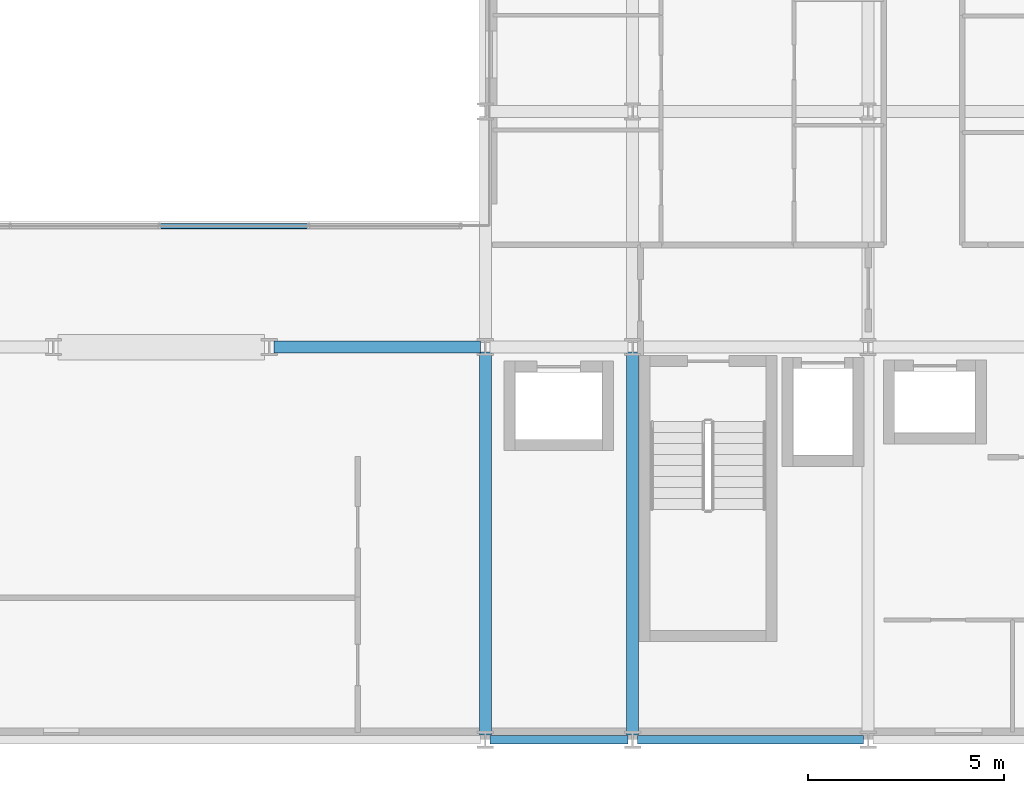
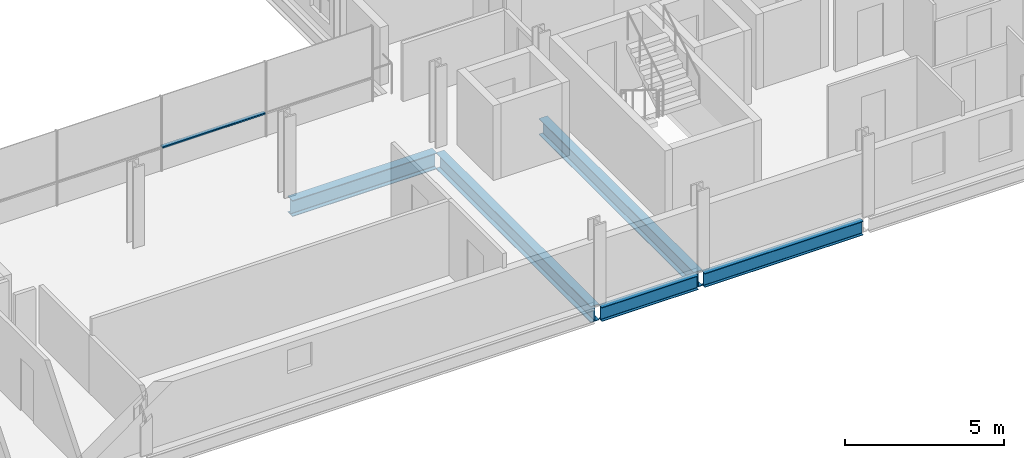
# One storey, part 12 of 38: 5 beams, 1 member, 1 element without a shape of its own.
"""IFC4 building model written with IfcOpenShell, lengths in metres."""

from ifc_helpers import new_model, si_unit, direction, frame, origin, origin_2d, place, context, subcontext, project, spatial, hollow_rectangle, i_section, extrude, material, layer, layer_set, material_profile, profile_set, type_object, element, aggregate, save


model = new_model("IFC4")

# Units and contexts
model_context = context("Model", 3, precision=1e-05, world=origin(), true_north=direction((0.0, 1.0)))
body_context = subcontext(model_context, "Body", "Model", "MODEL_VIEW")
ifc_project = project(units=[si_unit("LENGTHUNIT", "METRE"), si_unit("AREAUNIT", "SQUARE_METRE"), si_unit("VOLUMEUNIT", "CUBIC_METRE"), si_unit("PLANEANGLEUNIT", "RADIAN"), si_unit("MASSUNIT", "GRAM", prefix="KILO")], contexts=[model_context])

# Site, building, storey
site_placement = place(None, origin())
site = spatial("IfcSite", under=ifc_project, at=site_placement, CompositionType="ELEMENT")
building_placement = place(site_placement, origin())
building = spatial("IfcBuilding", under=site, at=building_placement, Name="Brevholm Reach", CompositionType="ELEMENT")
storey_placement = place(building_placement, frame((0.0, 0.0, 71.39990234375)))
storey = spatial("IfcBuildingStorey", under=building, at=storey_placement, Name="L20", CompositionType="ELEMENT", Elevation=71.39990234375)

# Beams
ifc_material_1 = material(Name="Structural Steel S355J2", Category="steel")
ifc_material_profile_1 = material_profile(ifc_material_1, i_section(OverallWidth=0.210693359375, OverallDepth=0.53955078125, WebThickness=0.01171875, FlangeThickness=0.018798828125, FilletRadius=0.0126953125, at=origin_2d()), Name="UKB 533x210x109")
ifc_profile_set_1 = profile_set([ifc_material_profile_1], Name="Structural Steel S355J2")
beam_type_1 = type_object("IfcBeamType", Name="BM-SP539", PredefinedType="SPANDREL", material=ifc_profile_set_1)
beam_1_placement = place(storey_placement, frame((38.3701171875, 0.0, -0.499755859375), z_axis=(1.0, 0.0, 0.0), x_axis=(0.0, 1.0, 0.0)))
element("IfcBeam", 1, at=beam_1_placement, inside=storey, type_object=beam_type_1, Name="L20 SP-01B Framing Beam", PredefinedType="SPANDREL", context=body_context, shape_type="SweptSolid", body=[
    extrude(i_section(OverallWidth=0.210693359375, OverallDepth=0.53955078125, WebThickness=0.01171875, FlangeThickness=0.018798828125, FilletRadius=0.0126953125, at=origin_2d()), origin(), (0.0, 0.0, 1.0), 3.509765625),
])
beam_2_placement = place(storey_placement, frame((42.1201171875, 0.0, -0.499755859375), z_axis=(1.0, 0.0, 0.0), x_axis=(0.0, 1.0, 0.0)))
element("IfcBeam", 2, at=beam_2_placement, inside=storey, type_object=beam_type_1, Name="L20 SP-01B Framing Beam", PredefinedType="SPANDREL", context=body_context, shape_type="SweptSolid", body=[
    extrude(i_section(OverallWidth=0.210693359375, OverallDepth=0.53955078125, WebThickness=0.01171875, FlangeThickness=0.018798828125, FilletRadius=0.0126953125, at=origin_2d()), origin(), (0.0, 0.0, 1.0), 5.759765625),
])
ifc_material_2 = material(Name="Structural Steel S355J2", Category="steel")
ifc_material_profile_2 = material_profile(ifc_material_2, i_section(OverallWidth=0.30712890625, OverallDepth=0.6201171875, WebThickness=0.01416015625, FlangeThickness=0.023681640625, FilletRadius=0.0166015625, at=origin_2d()), Name="UKB 610x305x179")
ifc_profile_set_2 = profile_set([ifc_material_profile_2], Name="Structural Steel S355J2")
beam_type_2 = type_object("IfcBeamType", Name="BM-UKB610H", PredefinedType="USERDEFINED", material=ifc_profile_set_2)
beam_3_placement = place(storey_placement, frame((32.8701171875, 10.0, -0.5400390625), z_axis=(1.0, 0.0, 0.0), x_axis=(0.0, 1.0, 0.0)))
element("IfcBeam", 3, at=beam_3_placement, inside=storey, type_object=beam_type_2, Name="L20 G-06 Framing Beam", ObjectType="GIRDER", PredefinedType="USERDEFINED", context=body_context, shape_type="SweptSolid", body=[
    extrude(i_section(OverallWidth=0.30712890625, OverallDepth=0.6201171875, WebThickness=0.01416015625, FlangeThickness=0.023681640625, FilletRadius=0.0166015625, at=origin_2d()), origin(), (0.0, 0.0, 1.0), 5.259765625),
])
for number, where, z_axis, x_axis, name in (
    (4, (38.25, 0.1201171875, -0.5400390625), (0.0, 1.0, 0.0), (-1.0, 0.0, 0.0), "L20 G-06 Framing Beam"),
    (5, (42.0, 0.1201171875, -0.5400390625), (0.0, 1.0, 0.0), (-1.0, 0.0, 0.0), "L20 G-06 Framing Beam"),
):
    element("IfcBeam", number, at=place(storey_placement, frame(where, z_axis=z_axis, x_axis=x_axis)), inside=storey, type_object=beam_type_2, Name=name, ObjectType="GIRDER", PredefinedType="USERDEFINED", context=body_context, shape_type="SweptSolid", body=[
        extrude(i_section(OverallWidth=0.30712890625, OverallDepth=0.6201171875, WebThickness=0.01416015625, FlangeThickness=0.023681640625, FilletRadius=0.0166015625, at=origin_2d()), origin(), (0.0, 0.0, 1.0), 9.759765625),
    ])

# Curtain wall, member
ifc_material_3 = material(Name="Dark Anodised Aluminium 6063-T6 and Solar-Control Glass", Category="aluminium")
ifc_layer = layer(ifc_material_3, 0.139892578125)
ifc_layer_set = layer_set([ifc_layer], Name="Dark Anodised Aluminium 6063-T6 and Solar-Control Glass")
curtain_wall_type = type_object("IfcCurtainWallType", Name="CW-02", PredefinedType="NOTDEFINED", material=ifc_layer_set)
curtain_wall_placement = place(storey_placement, origin())
curtain_wall = element("IfcCurtainWall", 6, at=curtain_wall_placement, inside=storey, type_object=curtain_wall_type, Name="L20 Curtain Wall CW-02", PredefinedType="NOTDEFINED")
ifc_material_4 = material(Name="Dark Anodised Aluminium 6063-T6", Category="aluminium")
ifc_material_profile_3 = material_profile(ifc_material_4, hollow_rectangle(XDim=0.06005859375, YDim=0.139892578125, WallThickness=0.0048828125, InnerFilletRadius=0.0048828125, OuterFilletRadius=0.010009765625, at=origin_2d()), Name="RHS 140x60x5")
ifc_profile_set_3 = profile_set([ifc_material_profile_3], Name="Dark Anodised Aluminium 6063-T6")
member_type = type_object("IfcMemberType", Name="CWT-140", PredefinedType="NOTDEFINED", material=ifc_profile_set_3)
member_placement = place(storey_placement, frame((29.97998046875, 13.080078125, 0.900146484375), z_axis=(1.0, 0.0, 0.0), x_axis=(0.0, 0.0, 1.0)))
member = element("IfcMember", 7, at=member_placement, type_object=member_type, Name="CT-140 Transom 3.1", ObjectType="TRANSOM", PredefinedType="USERDEFINED", context=body_context, shape_type="SweptSolid", body=[
    extrude(hollow_rectangle(XDim=0.06005859375, YDim=0.139892578125, WallThickness=0.0048828125, InnerFilletRadius=0.0048828125, OuterFilletRadius=0.010009765625, at=origin_2d()), origin(), (0.0, 0.0, 1.0), 3.739990234375),
])
aggregate(curtain_wall, [member])

save(model, "model.ifc")
